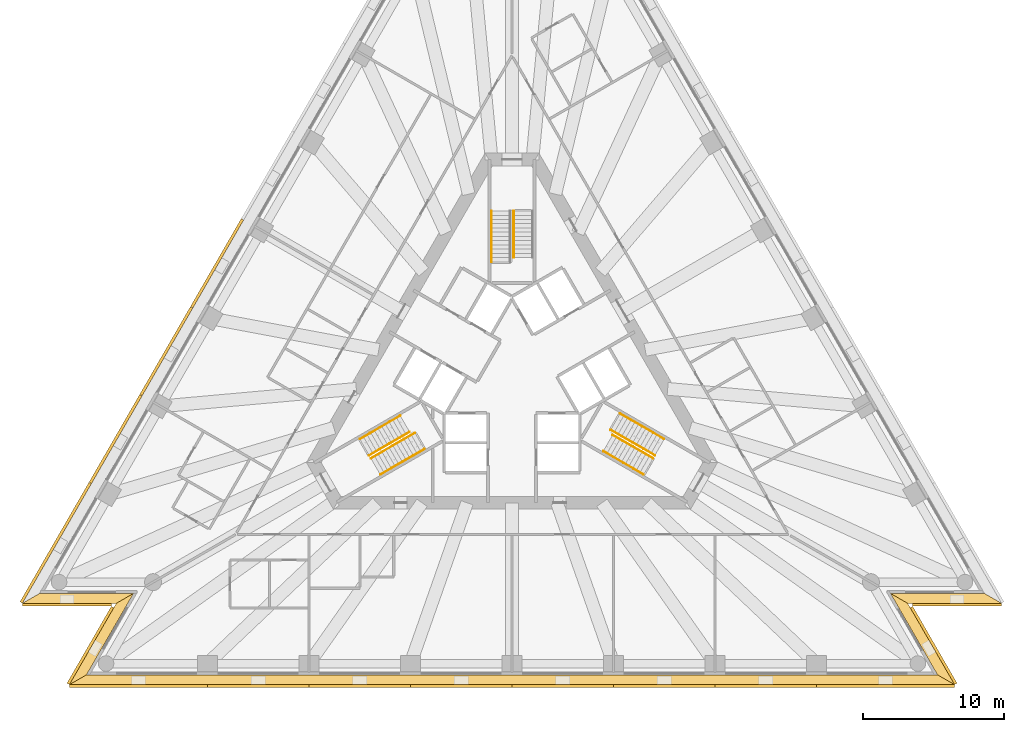
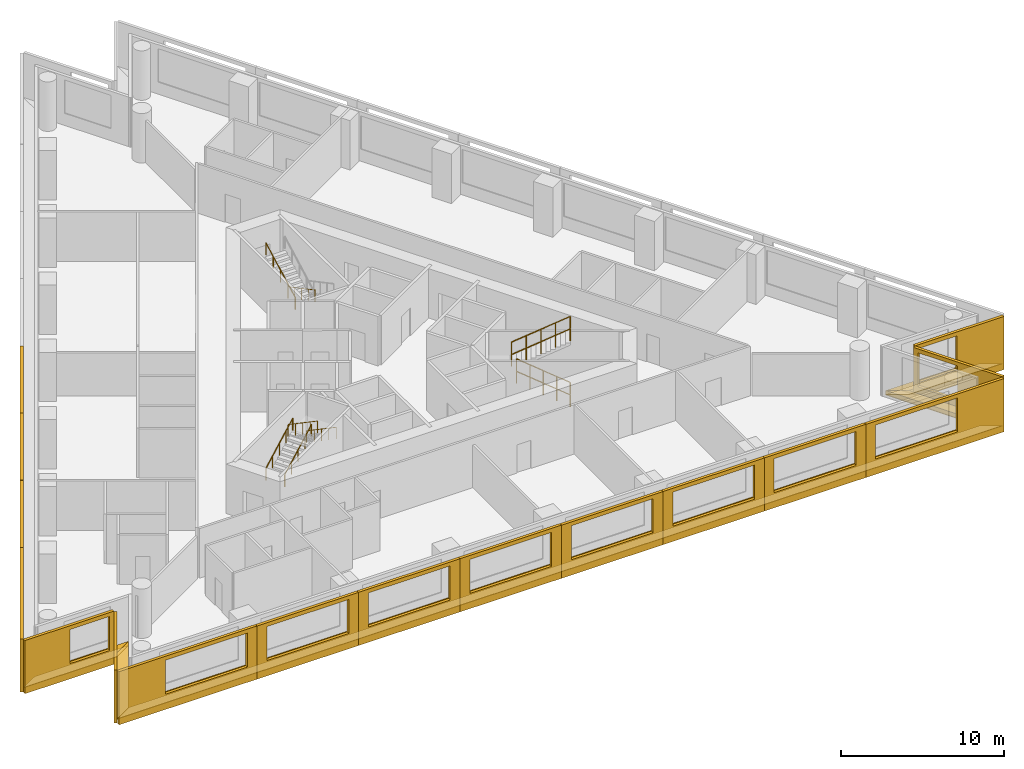
# One storey, part 10 of 11: 21 shading devices, 10 railings, 5 coverings, 3 elements without a shape of their own.
"""IFC4 building model written with IfcOpenShell, lengths in metres."""

from ifc_helpers import new_model, si_unit, direction, frame, origin, origin_2d, place, context, subcontext, project, spatial, polyline, circle, outline, extrude, material, layer, layer_set, layer_usage, type_object, element, aggregate, save


model = new_model("IFC4")

# Units and contexts
model_context = context("Model", 3, precision=1e-05, world=origin(), true_north=direction((0.0, 1.0)))
body_context = subcontext(model_context, "Body", "Model", "MODEL_VIEW")
ifc_project = project(units=[si_unit("LENGTHUNIT", "METRE"), si_unit("AREAUNIT", "SQUARE_METRE"), si_unit("VOLUMEUNIT", "CUBIC_METRE"), si_unit("PLANEANGLEUNIT", "RADIAN"), si_unit("MASSUNIT", "GRAM", prefix="KILO")], contexts=[model_context])

# Site, building, storey
site_placement = place(None, origin())
site = spatial("IfcSite", under=ifc_project, at=site_placement, CompositionType="ELEMENT")
building_placement = place(site_placement, origin())
building = spatial("IfcBuilding", under=site, at=building_placement, Name="Triada Interchange Tower", CompositionType="ELEMENT")
storey_placement = place(building_placement, frame((0.0, 0.0, 87.300048828125)))
storey = spatial("IfcBuildingStorey", under=building, at=storey_placement, Name="L19", CompositionType="ELEMENT", Elevation=87.300048828125)

# Coverings
ifc_material_1 = material(Name="Mineral fire-stop board")
ifc_layer_1 = layer(ifc_material_1, 0.0400390625, Name="Mineral fire-stop board")
ifc_material_2 = material(Name="Intumescent sealant")
ifc_layer_2 = layer(ifc_material_2, 0.010009765625, Name="Intumescent seal")
ifc_layer_set_1 = layer_set([ifc_layer_1, ifc_layer_2], Name="Cavity fire stop")
ifc_layer_usage = layer_usage(ifc_layer_set_1, "AXIS3", "POSITIVE", 0.0)
covering_type = type_object("IfcCoveringType", Name="Cavity fire stop", PredefinedType="INSULATION", material=ifc_layer_set_1)
covering_1_placement = place(storey_placement, origin())
element("IfcCovering", 1, at=covering_1_placement, inside=storey, type_object=covering_type, material=ifc_layer_usage, Name="Cavity fire stop L19 SW-1", PredefinedType="INSULATION", context=body_context, shape_type="SweptSolid", body=[
    extrude(outline(polyline([(-33.445068359375, -15.469970703125), (-34.656982421875, -16.169921875), (-28.007080078125, -16.169921875), (-26.794921875, -15.469970703125), (-33.445068359375, -15.469970703125)])), origin(), (0.0, 0.0, 1.0), 0.050048828125),
])
covering_2_placement = place(storey_placement, origin())
element("IfcCovering", 2, at=covering_2_placement, inside=storey, type_object=covering_type, material=ifc_layer_usage, Name="Cavity fire stop L19 SW-2", PredefinedType="INSULATION", context=body_context, shape_type="SweptSolid", body=[
    extrude(outline(polyline([(-26.794921875, -15.469970703125), (-28.007080078125, -16.169921875), (-31.33203125, -21.928955078125), (-30.1201171875, -21.22900390625), (-26.794921875, -15.469970703125)])), origin(), (0.0, 0.0, 1.0), 0.050048828125),
])
covering_3_placement = place(storey_placement, origin())
element("IfcCovering", 3, at=covering_3_placement, inside=storey, type_object=covering_type, material=ifc_layer_usage, Name="Cavity fire stop L19 S", PredefinedType="INSULATION", context=body_context, shape_type="SweptSolid", body=[
    extrude(outline(polyline([(-30.1201171875, -21.22900390625), (-31.33203125, -21.928955078125), (31.33203125, -21.928955078125), (30.1201171875, -21.22900390625), (-30.1201171875, -21.22900390625)])), origin(), (0.0, 0.0, 1.0), 0.050048828125),
])
covering_4_placement = place(storey_placement, origin())
element("IfcCovering", 4, at=covering_4_placement, inside=storey, type_object=covering_type, material=ifc_layer_usage, Name="Cavity fire stop L19 SE-1", PredefinedType="INSULATION", context=body_context, shape_type="SweptSolid", body=[
    extrude(outline(polyline([(30.1201171875, -21.22900390625), (31.33203125, -21.928955078125), (28.007080078125, -16.169921875), (26.794921875, -15.469970703125), (30.1201171875, -21.22900390625)])), origin(), (0.0, 0.0, 1.0), 0.050048828125),
])
covering_5_placement = place(storey_placement, origin())
element("IfcCovering", 5, at=covering_5_placement, inside=storey, type_object=covering_type, material=ifc_layer_usage, Name="Cavity fire stop L19 SE-2", PredefinedType="INSULATION", context=body_context, shape_type="SweptSolid", body=[
    extrude(outline(polyline([(26.794921875, -15.469970703125), (28.007080078125, -16.169921875), (34.656982421875, -16.169921875), (33.445068359375, -15.469970703125), (26.794921875, -15.469970703125)])), origin(), (0.0, 0.0, 1.0), 0.050048828125),
])

# Shading devices
ifc_material_3 = material(Name="Aluminium louvre", Category="aluminium")
shading_device_type_1 = type_object("IfcShadingDeviceType", Name="Cavity louvre grille", PredefinedType="JALOUSIE", material=ifc_material_3)
shading_device_1_placement = place(storey_placement, frame((0.0, 0.0, 0.050048828125)))
element("IfcShadingDevice", 6, at=shading_device_1_placement, inside=storey, type_object=shading_device_type_1, Name="Cavity louvre grille L19 SW-1", PredefinedType="JALOUSIE", context=body_context, shape_type="SweptSolid", body=[
    extrude(outline(polyline([(-33.445068359375, -15.469970703125), (-34.656982421875, -16.169921875), (-28.007080078125, -16.169921875), (-26.794921875, -15.469970703125), (-33.445068359375, -15.469970703125)])), origin(), (0.0, 0.0, 1.0), 0.2998046875),
])
shading_device_2_placement = place(storey_placement, frame((0.0, 0.0, 0.050048828125)))
element("IfcShadingDevice", 7, at=shading_device_2_placement, inside=storey, type_object=shading_device_type_1, Name="Cavity louvre grille L19 SW-2", PredefinedType="JALOUSIE", context=body_context, shape_type="SweptSolid", body=[
    extrude(outline(polyline([(-26.794921875, -15.469970703125), (-28.007080078125, -16.169921875), (-31.33203125, -21.928955078125), (-30.1201171875, -21.22900390625), (-26.794921875, -15.469970703125)])), origin(), (0.0, 0.0, 1.0), 0.2998046875),
])
shading_device_3_placement = place(storey_placement, frame((0.0, 0.0, 0.050048828125)))
element("IfcShadingDevice", 8, at=shading_device_3_placement, inside=storey, type_object=shading_device_type_1, Name="Cavity louvre grille L19 S", PredefinedType="JALOUSIE", context=body_context, shape_type="SweptSolid", body=[
    extrude(outline(polyline([(-30.1201171875, -21.22900390625), (-31.33203125, -21.928955078125), (31.33203125, -21.928955078125), (30.1201171875, -21.22900390625), (-30.1201171875, -21.22900390625)])), origin(), (0.0, 0.0, 1.0), 0.2998046875),
])
shading_device_4_placement = place(storey_placement, frame((0.0, 0.0, 0.050048828125)))
element("IfcShadingDevice", 9, at=shading_device_4_placement, inside=storey, type_object=shading_device_type_1, Name="Cavity louvre grille L19 SE-1", PredefinedType="JALOUSIE", context=body_context, shape_type="SweptSolid", body=[
    extrude(outline(polyline([(30.1201171875, -21.22900390625), (31.33203125, -21.928955078125), (28.007080078125, -16.169921875), (26.794921875, -15.469970703125), (30.1201171875, -21.22900390625)])), origin(), (0.0, 0.0, 1.0), 0.2998046875),
])
shading_device_5_placement = place(storey_placement, frame((0.0, 0.0, 0.050048828125)))
element("IfcShadingDevice", 10, at=shading_device_5_placement, inside=storey, type_object=shading_device_type_1, Name="Cavity louvre grille L19 SE-2", PredefinedType="JALOUSIE", context=body_context, shape_type="SweptSolid", body=[
    extrude(outline(polyline([(26.794921875, -15.469970703125), (28.007080078125, -16.169921875), (34.656982421875, -16.169921875), (33.445068359375, -15.469970703125), (26.794921875, -15.469970703125)])), origin(), (0.0, 0.0, 1.0), 0.2998046875),
])
ifc_material_4 = material(Name="Concrete C50/60 precast", Category="concrete")
ifc_layer_3 = layer(ifc_material_4, 0.02001953125, Name="Exposed aggregate face")
ifc_layer_4 = layer(ifc_material_4, 0.179931640625, Name="Precast concrete screen")
ifc_layer_set_2 = layer_set([ifc_layer_3, ifc_layer_4], Name="Outer skin screen panel 3980")
shading_device_type_2 = type_object("IfcShadingDeviceType", Name="Outer skin screen panel 3980", PredefinedType="SHUTTER", material=ifc_layer_set_2)
shading_device_6_placement = place(storey_placement, frame((-18.99609375, 10.9560546875, -0.2900390625), z_axis=(0.0, 0.0, 1.0), x_axis=(-0.499984023993, -0.86603462734, 0.0)))
element("IfcShadingDevice", 11, at=shading_device_6_placement, inside=storey, type_object=shading_device_type_2, Name="Outer skin screen panel L19 05", PredefinedType="SHUTTER", context=body_context, shape_type="SweptSolid", body=[
    extrude(outline(polyline([(0.0, 0.0), (7.163818359375, 0.0), (7.163818359375, 3.97998046875), (0.0, 3.97998046875), (0.0, 0.0)]), holes=[polyline([(0.681396484375, 1.139892578125), (0.681396484375, 3.68994140625), (6.4814453125, 3.68994140625), (6.4814453125, 1.139892578125), (0.681396484375, 1.139892578125)])]), frame((0.0, 0.0, 0.0), z_axis=(0.0, -1.0, 0.0), x_axis=(1.0, 0.0, 0.0)), (0.0, 0.0, 1.0), 0.199951171875),
])
shading_device_7_placement = place(storey_placement, frame((-22.587890625, 4.735107421875, -0.2900390625), z_axis=(0.0, 0.0, 1.0), x_axis=(-0.500009583697, -0.866019870564, 0.0)))
element("IfcShadingDevice", 12, at=shading_device_7_placement, inside=storey, type_object=shading_device_type_2, Name="Outer skin screen panel L19 06", PredefinedType="SHUTTER", context=body_context, shape_type="SweptSolid", body=[
    extrude(outline(polyline([(0.0, 0.0), (7.163818359375, 0.0), (7.163818359375, 3.97998046875), (0.0, 3.97998046875), (0.0, 0.0)]), holes=[polyline([(0.681884765625, 1.139892578125), (0.681884765625, 3.68994140625), (6.48193359375, 3.68994140625), (6.48193359375, 1.139892578125), (0.681884765625, 1.139892578125)])]), frame((0.0, 0.0, 0.0), z_axis=(0.0, -1.0, 0.0), x_axis=(1.0, 0.0, 0.0)), (0.0, 0.0, 1.0), 0.199951171875),
])
shading_device_8_placement = place(storey_placement, frame((-26.179931640625, -1.486083984375, -0.2900390625), z_axis=(0.0, 0.0, 1.0), x_axis=(-0.499922093299, -0.866070378567, 0.0)))
element("IfcShadingDevice", 13, at=shading_device_8_placement, inside=storey, type_object=shading_device_type_2, Name="Outer skin screen panel L19 07", PredefinedType="SHUTTER", context=body_context, shape_type="SweptSolid", body=[
    extrude(outline(polyline([(0.0, 0.0), (7.163330078125, 0.0), (7.163330078125, 3.97998046875), (0.0, 3.97998046875), (0.0, 0.0)]), holes=[polyline([(0.681396484375, 1.139892578125), (0.681396484375, 3.68994140625), (6.4814453125, 3.68994140625), (6.4814453125, 1.139892578125), (0.681396484375, 1.139892578125)])]), frame((0.0, 0.0, 0.0), z_axis=(0.0, -1.0, 0.0), x_axis=(1.0, 0.0, 0.0)), (0.0, 0.0, 1.0), 0.199951171875),
])
shading_device_9_placement = place(storey_placement, frame((-29.77099609375, -7.70703125, -0.2900390625), z_axis=(0.0, 0.0, 1.0), x_axis=(-0.500020487159, -0.866013575194, 0.0)))
element("IfcShadingDevice", 14, at=shading_device_9_placement, inside=storey, type_object=shading_device_type_2, Name="Outer skin screen panel L19 08", PredefinedType="SHUTTER", context=body_context, shape_type="SweptSolid", body=[
    extrude(outline(polyline([(0.0, 0.0), (9.76171875, 0.0), (9.76171875, 3.97998046875), (0.0, 3.97998046875), (0.0, 0.0)]), holes=[polyline([(0.681884765625, 1.139892578125), (0.681884765625, 3.68994140625), (6.481689453125, 3.68994140625), (6.481689453125, 1.139892578125), (0.681884765625, 1.139892578125)])]), frame((0.0, 0.0, 0.0), z_axis=(0.0, -1.0, 0.0), x_axis=(1.0, 0.0, 0.0)), (0.0, 0.0, 1.0), 0.199951171875),
])
shading_device_10_placement = place(storey_placement, frame((-34.64697265625, -16.169921875, -0.2900390625), z_axis=(0.0, 0.0, 1.0), x_axis=(1.0, 0.0, 0.0)))
element("IfcShadingDevice", 15, at=shading_device_10_placement, inside=storey, type_object=shading_device_type_2, Name="Outer skin screen panel L19 09", PredefinedType="SHUTTER", context=body_context, shape_type="SweptSolid", body=[
    extrude(outline(polyline([(0.0, 0.0), (6.282958984375, 0.0), (6.282958984375, 3.97998046875), (0.0, 3.97998046875), (0.0, 0.0)]), holes=[polyline([(3.175048828125, 1.139892578125), (3.175048828125, 3.68994140625), (5.98291015625, 3.68994140625), (5.98291015625, 1.139892578125), (3.175048828125, 1.139892578125)])]), frame((0.0, 0.0, 0.0), z_axis=(0.0, -1.0, 0.0), x_axis=(1.0, 0.0, 0.0)), (0.0, 0.0, 1.0), 0.199951171875),
])
shading_device_11_placement = place(storey_placement, frame((-28.18603515625, -16.47900390625, -0.2900390625), z_axis=(0.0, 0.0, 1.0), x_axis=(-0.499946717738, -0.866056164128, 0.0)))
element("IfcShadingDevice", 16, at=shading_device_11_placement, inside=storey, type_object=shading_device_type_2, Name="Outer skin screen panel L19 10", PredefinedType="SHUTTER", context=body_context, shape_type="SweptSolid", body=[
    extrude(outline(polyline([(0.0, 0.0), (6.282470703125, 0.0), (6.282470703125, 3.97998046875), (0.0, 3.97998046875), (0.0, 0.0)]), holes=[polyline([(0.300048828125, 1.139892578125), (0.300048828125, 3.68994140625), (2.9580078125, 3.68994140625), (2.9580078125, 1.139892578125), (0.300048828125, 1.139892578125)])]), frame((0.0, 0.0, 0.0), z_axis=(0.0, -1.0, 0.0), x_axis=(1.0, 0.0, 0.0)), (0.0, 0.0, 1.0), 0.199951171875),
])
shading_device_12_placement = place(storey_placement, frame((-31.322021484375, -21.928955078125, -0.2900390625), z_axis=(0.0, 0.0, 1.0), x_axis=(1.0, 0.0, 0.0)))
element("IfcShadingDevice", 17, at=shading_device_12_placement, inside=storey, type_object=shading_device_type_2, Name="Outer skin screen panel L19 11", PredefinedType="SHUTTER", context=body_context, shape_type="SweptSolid", body=[
    extrude(outline(polyline([(0.0, 0.0), (9.761962890625, 0.0), (9.761962890625, 3.97998046875), (0.0, 3.97998046875), (0.0, 0.0)]), holes=[polyline([(3.280029296875, 1.139892578125), (3.280029296875, 3.68994140625), (9.080078125, 3.68994140625), (9.080078125, 1.139892578125), (3.280029296875, 1.139892578125)])]), frame((0.0, 0.0, 0.0), z_axis=(0.0, -1.0, 0.0), x_axis=(1.0, 0.0, 0.0)), (0.0, 0.0, 1.0), 0.199951171875),
])
shading_device_13_placement = place(storey_placement, frame((-21.5400390625, -21.928955078125, -0.2900390625), z_axis=(0.0, 0.0, 1.0), x_axis=(1.0, 0.0, 0.0)))
element("IfcShadingDevice", 18, at=shading_device_13_placement, inside=storey, type_object=shading_device_type_2, Name="Outer skin screen panel L19 12", PredefinedType="SHUTTER", context=body_context, shape_type="SweptSolid", body=[
    extrude(outline(polyline([(0.0, 0.0), (7.1630859375, 0.0), (7.1630859375, 3.97998046875), (0.0, 3.97998046875), (0.0, 0.0)]), holes=[polyline([(0.681396484375, 1.139892578125), (0.681396484375, 3.68994140625), (6.4814453125, 3.68994140625), (6.4814453125, 1.139892578125), (0.681396484375, 1.139892578125)])]), frame((0.0, 0.0, 0.0), z_axis=(0.0, -1.0, 0.0), x_axis=(1.0, 0.0, 0.0)), (0.0, 0.0, 1.0), 0.199951171875),
])
shading_device_14_placement = place(storey_placement, frame((-14.35693359375, -21.928955078125, -0.2900390625), z_axis=(0.0, 0.0, 1.0), x_axis=(1.0, 0.0, 0.0)))
element("IfcShadingDevice", 19, at=shading_device_14_placement, inside=storey, type_object=shading_device_type_2, Name="Outer skin screen panel L19 13", PredefinedType="SHUTTER", context=body_context, shape_type="SweptSolid", body=[
    extrude(outline(polyline([(0.0, 0.0), (7.162841796875, 0.0), (7.162841796875, 3.97998046875), (0.0, 3.97998046875), (0.0, 0.0)]), holes=[polyline([(0.681884765625, 1.139892578125), (0.681884765625, 3.68994140625), (6.48193359375, 3.68994140625), (6.48193359375, 1.139892578125), (0.681884765625, 1.139892578125)])]), frame((0.0, 0.0, 0.0), z_axis=(0.0, -1.0, 0.0), x_axis=(1.0, 0.0, 0.0)), (0.0, 0.0, 1.0), 0.199951171875),
])
shading_device_15_placement = place(storey_placement, frame((-7.174072265625, -21.928955078125, -0.2900390625), z_axis=(0.0, 0.0, 1.0), x_axis=(1.0, 0.0, 0.0)))
element("IfcShadingDevice", 20, at=shading_device_15_placement, inside=storey, type_object=shading_device_type_2, Name="Outer skin screen panel L19 14", PredefinedType="SHUTTER", context=body_context, shape_type="SweptSolid", body=[
    extrude(outline(polyline([(0.0, 0.0), (7.1640625, 0.0), (7.1640625, 3.97998046875), (0.0, 3.97998046875), (0.0, 0.0)]), holes=[polyline([(0.681396484375, 1.139892578125), (0.681396484375, 3.68994140625), (6.4814453125, 3.68994140625), (6.4814453125, 1.139892578125), (0.681396484375, 1.139892578125)])]), frame((0.0, 0.0, 0.0), z_axis=(0.0, -1.0, 0.0), x_axis=(1.0, 0.0, 0.0)), (0.0, 0.0, 1.0), 0.199951171875),
])
shading_device_16_placement = place(storey_placement, frame((0.010009765625, -21.928955078125, -0.2900390625), z_axis=(0.0, 0.0, 1.0), x_axis=(1.0, 0.0, 0.0)))
element("IfcShadingDevice", 21, at=shading_device_16_placement, inside=storey, type_object=shading_device_type_2, Name="Outer skin screen panel L19 15", PredefinedType="SHUTTER", context=body_context, shape_type="SweptSolid", body=[
    extrude(outline(polyline([(0.0, 0.0), (7.1640625, 0.0), (7.1640625, 3.97998046875), (0.0, 3.97998046875), (0.0, 0.0)]), holes=[polyline([(0.681884765625, 1.139892578125), (0.681884765625, 3.68994140625), (6.48193359375, 3.68994140625), (6.48193359375, 1.139892578125), (0.681884765625, 1.139892578125)])]), frame((0.0, 0.0, 0.0), z_axis=(0.0, -1.0, 0.0), x_axis=(1.0, 0.0, 0.0)), (0.0, 0.0, 1.0), 0.199951171875),
])
shading_device_17_placement = place(storey_placement, frame((7.194091796875, -21.928955078125, -0.2900390625), z_axis=(0.0, 0.0, 1.0), x_axis=(1.0, 0.0, 0.0)))
element("IfcShadingDevice", 22, at=shading_device_17_placement, inside=storey, type_object=shading_device_type_2, Name="Outer skin screen panel L19 16", PredefinedType="SHUTTER", context=body_context, shape_type="SweptSolid", body=[
    extrude(outline(polyline([(0.0, 0.0), (7.162841796875, 0.0), (7.162841796875, 3.97998046875), (0.0, 3.97998046875), (0.0, 0.0)]), holes=[polyline([(0.681396484375, 1.139892578125), (0.681396484375, 3.68994140625), (6.4814453125, 3.68994140625), (6.4814453125, 1.139892578125), (0.681396484375, 1.139892578125)])]), frame((0.0, 0.0, 0.0), z_axis=(0.0, -1.0, 0.0), x_axis=(1.0, 0.0, 0.0)), (0.0, 0.0, 1.0), 0.199951171875),
])
shading_device_18_placement = place(storey_placement, frame((14.376953125, -21.928955078125, -0.2900390625), z_axis=(0.0, 0.0, 1.0), x_axis=(1.0, 0.0, 0.0)))
element("IfcShadingDevice", 23, at=shading_device_18_placement, inside=storey, type_object=shading_device_type_2, Name="Outer skin screen panel L19 17", PredefinedType="SHUTTER", context=body_context, shape_type="SweptSolid", body=[
    extrude(outline(polyline([(0.0, 0.0), (7.1630859375, 0.0), (7.1630859375, 3.97998046875), (0.0, 3.97998046875), (0.0, 0.0)]), holes=[polyline([(0.681884765625, 1.139892578125), (0.681884765625, 3.68994140625), (6.48193359375, 3.68994140625), (6.48193359375, 1.139892578125), (0.681884765625, 1.139892578125)])]), frame((0.0, 0.0, 0.0), z_axis=(0.0, -1.0, 0.0), x_axis=(1.0, 0.0, 0.0)), (0.0, 0.0, 1.0), 0.199951171875),
])
shading_device_19_placement = place(storey_placement, frame((21.56005859375, -21.928955078125, -0.2900390625), z_axis=(0.0, 0.0, 1.0), x_axis=(1.0, 0.0, 0.0)))
element("IfcShadingDevice", 24, at=shading_device_19_placement, inside=storey, type_object=shading_device_type_2, Name="Outer skin screen panel L19 18", PredefinedType="SHUTTER", context=body_context, shape_type="SweptSolid", body=[
    extrude(outline(polyline([(0.0, 0.0), (9.761962890625, 0.0), (9.761962890625, 3.97998046875), (0.0, 3.97998046875), (0.0, 0.0)]), holes=[polyline([(0.681396484375, 1.139892578125), (0.681396484375, 3.68994140625), (6.4814453125, 3.68994140625), (6.4814453125, 1.139892578125), (0.681396484375, 1.139892578125)])]), frame((0.0, 0.0, 0.0), z_axis=(0.0, -1.0, 0.0), x_axis=(1.0, 0.0, 0.0)), (0.0, 0.0, 1.0), 0.199951171875),
])
shading_device_20_placement = place(storey_placement, frame((31.326904296875, -21.919921875, -0.2900390625), z_axis=(0.0, 0.0, 1.0), x_axis=(-0.499946717738, 0.866056164128, 0.0)))
element("IfcShadingDevice", 25, at=shading_device_20_placement, inside=storey, type_object=shading_device_type_2, Name="Outer skin screen panel L19 19", PredefinedType="SHUTTER", context=body_context, shape_type="SweptSolid", body=[
    extrude(outline(polyline([(0.0, 0.0), (6.282470703125, 0.0), (6.282470703125, 3.97998046875), (0.0, 3.97998046875), (0.0, 0.0)]), holes=[polyline([(3.17529296875, 1.139892578125), (3.17529296875, 3.68994140625), (5.983154296875, 3.68994140625), (5.983154296875, 1.139892578125), (3.17529296875, 1.139892578125)])]), frame((0.0, 0.0, 0.0), z_axis=(0.0, -1.0, 0.0), x_axis=(1.0, 0.0, 0.0)), (0.0, 0.0, 1.0), 0.199951171875),
])
shading_device_21_placement = place(storey_placement, frame((28.364013671875, -16.169921875, -0.2900390625), z_axis=(0.0, 0.0, 1.0), x_axis=(1.0, 0.0, 0.0)))
element("IfcShadingDevice", 26, at=shading_device_21_placement, inside=storey, type_object=shading_device_type_2, Name="Outer skin screen panel L19 20", PredefinedType="SHUTTER", context=body_context, shape_type="SweptSolid", body=[
    extrude(outline(polyline([(0.0, 0.0), (6.282958984375, 0.0), (6.282958984375, 3.97998046875), (0.0, 3.97998046875), (0.0, 0.0)]), holes=[polyline([(0.300048828125, 1.139892578125), (0.300048828125, 3.68994140625), (2.9580078125, 3.68994140625), (2.9580078125, 1.139892578125), (0.300048828125, 1.139892578125)])]), frame((0.0, 0.0, 0.0), z_axis=(0.0, -1.0, 0.0), x_axis=(1.0, 0.0, 0.0)), (0.0, 0.0, 1.0), 0.199951171875),
])

# Stair, railings
ifc_material_5 = material(Name="Concrete C35/45", Category="concrete")
stair_type = type_object("IfcStairType", Name="HALF TURN STAIR 1400", PredefinedType="HALF_TURN_STAIR", material=ifc_material_5)
stair_1_placement = place(storey_placement, origin())
stair_1 = element("IfcStair", 27, at=stair_1_placement, inside=storey, type_object=stair_type, Name="Exit stair S18-1", PredefinedType="HALF_TURN_STAIR")
ifc_material_6 = material(Name="Stainless steel 1.4301", Category="steel")
railing_type = type_object("IfcRailingType", Name="STAIR HANDRAIL 900", PredefinedType="HANDRAIL", material=ifc_material_6)
railing_1_placement = place(storey_placement, frame((0.1201171875, 11.60009765625, 0.159912109375)))
railing_1 = element("IfcRailing", 28, at=railing_1_placement, type_object=railing_type, Name="Handrail S18-1 1C", PredefinedType="HANDRAIL", context=body_context, shape_type="SweptSolid", body=[
    extrude(circle(Radius=0.02392578125, at=origin_2d()), frame((0.0, 0.0, 0.8759765625), z_axis=(0.0, -0.882354748157, 0.47058484719), x_axis=(1.0, 0.0, 0.0)), (0.0, 0.0, 1.0), 3.739990234375),
    extrude(circle(Radius=0.02099609375, at=origin_2d()), origin(), (0.0, 0.0, 1.0), 0.851806640625),
    extrude(circle(Radius=0.02099609375, at=origin_2d()), frame((0.0, -0.824951171875, 0.43994140625)), (0.0, 0.0, 1.0), 0.851806640625),
    extrude(circle(Radius=0.02099609375, at=origin_2d()), frame((0.0, -1.64990234375, 0.8798828125)), (0.0, 0.0, 1.0), 0.851806640625),
    extrude(circle(Radius=0.02099609375, at=origin_2d()), frame((0.0, -2.47509765625, 1.320068359375)), (0.0, 0.0, 1.0), 0.851806640625),
    extrude(circle(Radius=0.02099609375, at=origin_2d()), frame((0.0, -3.300048828125, 1.760009765625)), (0.0, 0.0, 1.0), 0.851806640625),
])
railing_2_placement = place(storey_placement, frame((-1.449951171875, 8.0, 2.079833984375)))
railing_2 = element("IfcRailing", 29, at=railing_2_placement, type_object=railing_type, Name="Handrail S18-1 2W", PredefinedType="HANDRAIL", context=body_context, shape_type="SweptSolid", body=[
    extrude(circle(Radius=0.02392578125, at=origin_2d()), frame((0.0, 0.0, 0.8759765625), z_axis=(0.0, 0.882341346394, 0.470609974867), x_axis=(-1.0, 0.0, 0.0)), (0.0, 0.0, 1.0), 4.080078125),
    extrude(circle(Radius=0.02099609375, at=origin_2d()), origin(), (0.0, 0.0, 1.0), 0.851806640625),
    extrude(circle(Radius=0.02099609375, at=origin_2d()), frame((0.0, 0.89990234375, 0.47998046875)), (0.0, 0.0, 1.0), 0.851806640625),
    extrude(circle(Radius=0.02099609375, at=origin_2d()), frame((0.0, 1.800048828125, 0.9599609375)), (0.0, 0.0, 1.0), 0.851806640625),
    extrude(circle(Radius=0.02099609375, at=origin_2d()), frame((0.0, 2.7001953125, 1.440185546875)), (0.0, 0.0, 1.0), 0.851806640625),
    extrude(circle(Radius=0.02099609375, at=origin_2d()), frame((0.0, 3.60009765625, 1.920166015625)), (0.0, 0.0, 1.0), 0.851806640625),
])
aggregate(stair_1, [railing_1, railing_2])

stair_2_placement = place(storey_placement, origin())
stair_2 = element("IfcStair", 30, at=stair_2_placement, inside=storey, type_object=stair_type, Name="Exit stair S18-2", PredefinedType="HALF_TURN_STAIR")
railing_3_placement = place(storey_placement, frame((-10.77099609375, -4.5439453125, 0.159912109375)))
railing_3 = element("IfcRailing", 31, at=railing_3_placement, type_object=railing_type, Name="Handrail S18-2 1W", PredefinedType="HANDRAIL", context=body_context, shape_type="SweptSolid", body=[
    extrude(circle(Radius=0.02392578125, at=origin_2d()), frame((0.0, 0.0, 0.8759765625), z_axis=(0.764150854273, 0.441152526326, 0.470593158077), x_axis=(-0.499974350878, 0.866040211805, 0.0)), (0.0, 0.0, 1.0), 3.739990234375),
    extrude(circle(Radius=0.02099609375, at=origin_2d()), origin(), (0.0, 0.0, 1.0), 0.851806640625),
    extrude(circle(Radius=0.02099609375, at=origin_2d()), frame((0.71435546875, 0.41259765625, 0.43994140625)), (0.0, 0.0, 1.0), 0.851806640625),
    extrude(circle(Radius=0.02099609375, at=origin_2d()), frame((1.428955078125, 0.824951171875, 0.8798828125)), (0.0, 0.0, 1.0), 0.851806640625),
    extrude(circle(Radius=0.02099609375, at=origin_2d()), frame((2.1435546875, 1.2373046875, 1.320068359375)), (0.0, 0.0, 1.0), 0.851806640625),
    extrude(circle(Radius=0.02099609375, at=origin_2d()), frame((2.85791015625, 1.64990234375, 1.760009765625)), (0.0, 0.0, 1.0), 0.851806640625),
])
railing_4_placement = place(storey_placement, frame((-10.10595703125, -5.696044921875, 0.159912109375)))
railing_4 = element("IfcRailing", 32, at=railing_4_placement, type_object=railing_type, Name="Handrail S18-2 1C", PredefinedType="HANDRAIL", context=body_context, shape_type="SweptSolid", body=[
    extrude(circle(Radius=0.02392578125, at=origin_2d()), frame((0.0, 0.0, 0.8759765625), z_axis=(0.76412884773, 0.441205098395, 0.470579605611), x_axis=(-0.50002983664, 0.866008176907, 0.0)), (0.0, 0.0, 1.0), 3.739990234375),
    extrude(circle(Radius=0.02099609375, at=origin_2d()), origin(), (0.0, 0.0, 1.0), 0.851806640625),
    extrude(circle(Radius=0.02099609375, at=origin_2d()), frame((0.71435546875, 0.41259765625, 0.43994140625)), (0.0, 0.0, 1.0), 0.851806640625),
    extrude(circle(Radius=0.02099609375, at=origin_2d()), frame((1.428955078125, 0.8251953125, 0.8798828125)), (0.0, 0.0, 1.0), 0.851806640625),
    extrude(circle(Radius=0.02099609375, at=origin_2d()), frame((2.1435546875, 1.237548828125, 1.320068359375)), (0.0, 0.0, 1.0), 0.851806640625),
    extrude(circle(Radius=0.02099609375, at=origin_2d()), frame((2.85791015625, 1.650146484375, 1.760009765625)), (0.0, 0.0, 1.0), 0.851806640625),
])
railing_5_placement = place(storey_placement, frame((-6.202880859375, -5.256103515625, 2.079833984375)))
railing_5 = element("IfcRailing", 33, at=railing_5_placement, type_object=railing_type, Name="Handrail S18-2 2W", PredefinedType="HANDRAIL", context=body_context, shape_type="SweptSolid", body=[
    extrude(circle(Radius=0.02392578125, at=origin_2d()), frame((0.0, 0.0, 0.8759765625), z_axis=(-0.764189758314, -0.441090424232, 0.470588196769), x_axis=(0.499902469156, -0.866081705922, 0.0)), (0.0, 0.0, 1.0), 4.080322265625),
    extrude(circle(Radius=0.02099609375, at=origin_2d()), origin(), (0.0, 0.0, 1.0), 0.851806640625),
    extrude(circle(Radius=0.02099609375, at=origin_2d()), frame((-0.779541015625, -0.449951171875, 0.47998046875)), (0.0, 0.0, 1.0), 0.851806640625),
    extrude(circle(Radius=0.02099609375, at=origin_2d()), frame((-1.55908203125, -0.89990234375, 0.9599609375)), (0.0, 0.0, 1.0), 0.851806640625),
    extrude(circle(Radius=0.02099609375, at=origin_2d()), frame((-2.338623046875, -1.349853515625, 1.440185546875)), (0.0, 0.0, 1.0), 0.851806640625),
    extrude(circle(Radius=0.02099609375, at=origin_2d()), frame((-3.1181640625, -1.7998046875, 1.920166015625)), (0.0, 0.0, 1.0), 0.851806640625),
])
railing_6_placement = place(storey_placement, frame((-6.867919921875, -4.10400390625, 2.079833984375)))
railing_6 = element("IfcRailing", 34, at=railing_6_placement, type_object=railing_type, Name="Handrail S18-2 2C", PredefinedType="HANDRAIL", context=body_context, shape_type="SweptSolid", body=[
    extrude(circle(Radius=0.02392578125, at=origin_2d()), frame((0.0, 0.0, 0.8759765625), z_axis=(-0.764169589359, -0.441138614339, 0.470575776723), x_axis=(0.49995333141, -0.866052346231, 0.0)), (0.0, 0.0, 1.0), 4.08056640625),
    extrude(circle(Radius=0.02099609375, at=origin_2d()), origin(), (0.0, 0.0, 1.0), 0.851806640625),
    extrude(circle(Radius=0.02099609375, at=origin_2d()), frame((-0.779541015625, -0.449951171875, 0.47998046875)), (0.0, 0.0, 1.0), 0.851806640625),
    extrude(circle(Radius=0.02099609375, at=origin_2d()), frame((-1.55908203125, -0.89990234375, 0.9599609375)), (0.0, 0.0, 1.0), 0.851806640625),
    extrude(circle(Radius=0.02099609375, at=origin_2d()), frame((-2.338623046875, -1.35009765625, 1.440185546875)), (0.0, 0.0, 1.0), 0.851806640625),
    extrude(circle(Radius=0.02099609375, at=origin_2d()), frame((-3.1181640625, -1.800048828125, 1.920166015625)), (0.0, 0.0, 1.0), 0.851806640625),
])
aggregate(stair_2, [railing_3, railing_4, railing_5, railing_6])

stair_3_placement = place(storey_placement, origin())
stair_3 = element("IfcStair", 35, at=stair_3_placement, inside=storey, type_object=stair_type, Name="Exit stair S18-3", PredefinedType="HALF_TURN_STAIR")
railing_7_placement = place(storey_placement, frame((9.321044921875, -7.055908203125, 0.159912109375)))
railing_7 = element("IfcRailing", 36, at=railing_7_placement, type_object=railing_type, Name="Handrail S18-3 1W", PredefinedType="HANDRAIL", context=body_context, shape_type="SweptSolid", body=[
    extrude(circle(Radius=0.02392578125, at=origin_2d()), frame((0.0, 0.0, 0.8759765625), z_axis=(-0.764178012919, 0.441130521168, 0.470569684388), x_axis=(-0.499942318283, -0.866058703778, 0.0)), (0.0, 0.0, 1.0), 3.740234375),
    extrude(circle(Radius=0.02099609375, at=origin_2d()), origin(), (0.0, 0.0, 1.0), 0.851806640625),
    extrude(circle(Radius=0.02099609375, at=origin_2d()), frame((-0.714599609375, 0.41259765625, 0.43994140625)), (0.0, 0.0, 1.0), 0.851806640625),
    extrude(circle(Radius=0.02099609375, at=origin_2d()), frame((-1.42919921875, 0.824951171875, 0.8798828125)), (0.0, 0.0, 1.0), 0.851806640625),
    extrude(circle(Radius=0.02099609375, at=origin_2d()), frame((-2.1435546875, 1.2373046875, 1.320068359375)), (0.0, 0.0, 1.0), 0.851806640625),
    extrude(circle(Radius=0.02099609375, at=origin_2d()), frame((-2.858154296875, 1.64990234375, 1.760009765625)), (0.0, 0.0, 1.0), 0.851806640625),
])
railing_8_placement = place(storey_placement, frame((9.986083984375, -5.904052734375, 0.159912109375)))
railing_8 = element("IfcRailing", 37, at=railing_8_placement, type_object=railing_type, Name="Handrail S18-3 1C", PredefinedType="HANDRAIL", context=body_context, shape_type="SweptSolid", body=[
    extrude(circle(Radius=0.02392578125, at=origin_2d()), frame((0.0, 0.0, 0.8759765625), z_axis=(-0.764156007789, 0.441183091881, 0.47055613395), x_axis=(-0.49999780286, -0.8660266723, 0.0)), (0.0, 0.0, 1.0), 3.740234375),
    extrude(circle(Radius=0.02099609375, at=origin_2d()), origin(), (0.0, 0.0, 1.0), 0.851806640625),
    extrude(circle(Radius=0.02099609375, at=origin_2d()), frame((-0.714599609375, 0.41259765625, 0.43994140625)), (0.0, 0.0, 1.0), 0.851806640625),
    extrude(circle(Radius=0.02099609375, at=origin_2d()), frame((-1.42919921875, 0.8251953125, 0.8798828125)), (0.0, 0.0, 1.0), 0.851806640625),
    extrude(circle(Radius=0.02099609375, at=origin_2d()), frame((-2.1435546875, 1.237548828125, 1.320068359375)), (0.0, 0.0, 1.0), 0.851806640625),
    extrude(circle(Radius=0.02099609375, at=origin_2d()), frame((-2.858154296875, 1.650146484375, 1.760009765625)), (0.0, 0.0, 1.0), 0.851806640625),
])
railing_9_placement = place(storey_placement, frame((7.653076171875, -2.743896484375, 2.079833984375)))
railing_9 = element("IfcRailing", 38, at=railing_9_placement, type_object=railing_type, Name="Handrail S18-3 2W", PredefinedType="HANDRAIL", context=body_context, shape_type="SweptSolid", body=[
    extrude(circle(Radius=0.02392578125, at=origin_2d()), frame((0.0, 0.0, 0.8759765625), z_axis=(0.76414469501, -0.441158784458, 0.470597292793), x_axis=(0.499982693035, 0.866035395735, 0.0)), (0.0, 0.0, 1.0), 4.080322265625),
    extrude(circle(Radius=0.02099609375, at=origin_2d()), origin(), (0.0, 0.0, 1.0), 0.851806640625),
    extrude(circle(Radius=0.02099609375, at=origin_2d()), frame((0.779541015625, -0.449951171875, 0.47998046875)), (0.0, 0.0, 1.0), 0.851806640625),
    extrude(circle(Radius=0.02099609375, at=origin_2d()), frame((1.55908203125, -0.89990234375, 0.9599609375)), (0.0, 0.0, 1.0), 0.851806640625),
    extrude(circle(Radius=0.02099609375, at=origin_2d()), frame((2.33837890625, -1.35009765625, 1.440185546875)), (0.0, 0.0, 1.0), 0.851806640625),
    extrude(circle(Radius=0.02099609375, at=origin_2d()), frame((3.117919921875, -1.800048828125, 1.920166015625)), (0.0, 0.0, 1.0), 0.851806640625),
])
railing_10_placement = place(storey_placement, frame((6.988037109375, -3.89599609375, 2.079833984375)))
railing_10 = element("IfcRailing", 39, at=railing_10_placement, type_object=railing_type, Name="Handrail S18-3 2C", PredefinedType="HANDRAIL", context=body_context, shape_type="SweptSolid", body=[
    extrude(circle(Radius=0.02392578125, at=origin_2d()), frame((0.0, 0.0, 0.8759765625), z_axis=(0.76414469501, -0.441158784458, 0.470597292793), x_axis=(0.499982693035, 0.866035395735, 0.0)), (0.0, 0.0, 1.0), 4.080322265625),
    extrude(circle(Radius=0.02099609375, at=origin_2d()), origin(), (0.0, 0.0, 1.0), 0.851806640625),
    extrude(circle(Radius=0.02099609375, at=origin_2d()), frame((0.779541015625, -0.449951171875, 0.47998046875)), (0.0, 0.0, 1.0), 0.851806640625),
    extrude(circle(Radius=0.02099609375, at=origin_2d()), frame((1.55908203125, -0.89990234375, 0.9599609375)), (0.0, 0.0, 1.0), 0.851806640625),
    extrude(circle(Radius=0.02099609375, at=origin_2d()), frame((2.33837890625, -1.35009765625, 1.440185546875)), (0.0, 0.0, 1.0), 0.851806640625),
    extrude(circle(Radius=0.02099609375, at=origin_2d()), frame((3.117919921875, -1.800048828125, 1.920166015625)), (0.0, 0.0, 1.0), 0.851806640625),
])
aggregate(stair_3, [railing_7, railing_8, railing_9, railing_10])

save(model, "model.ifc")
